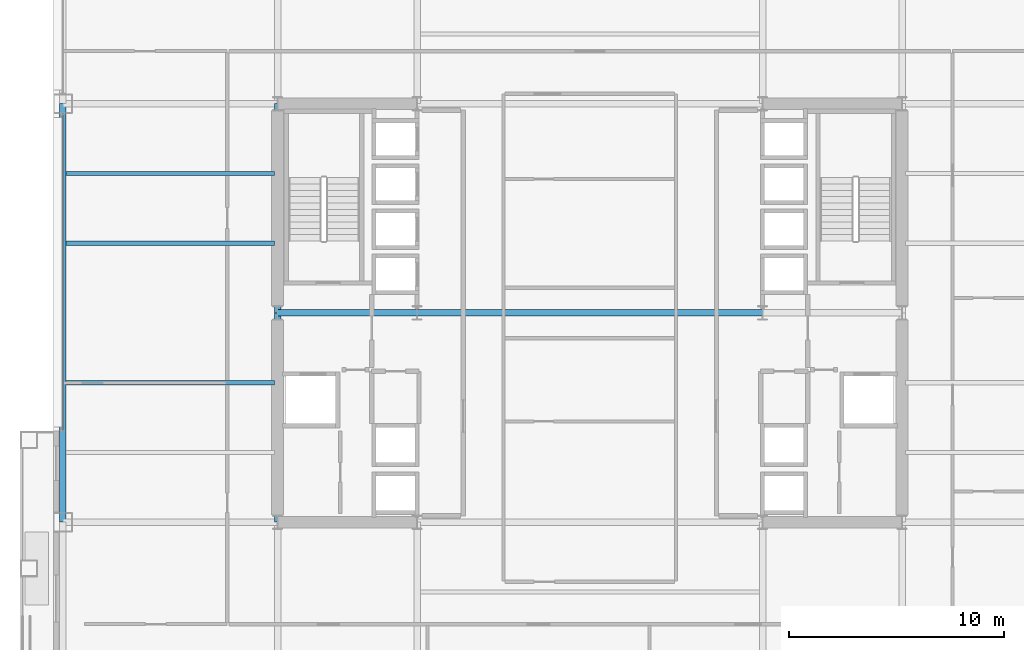
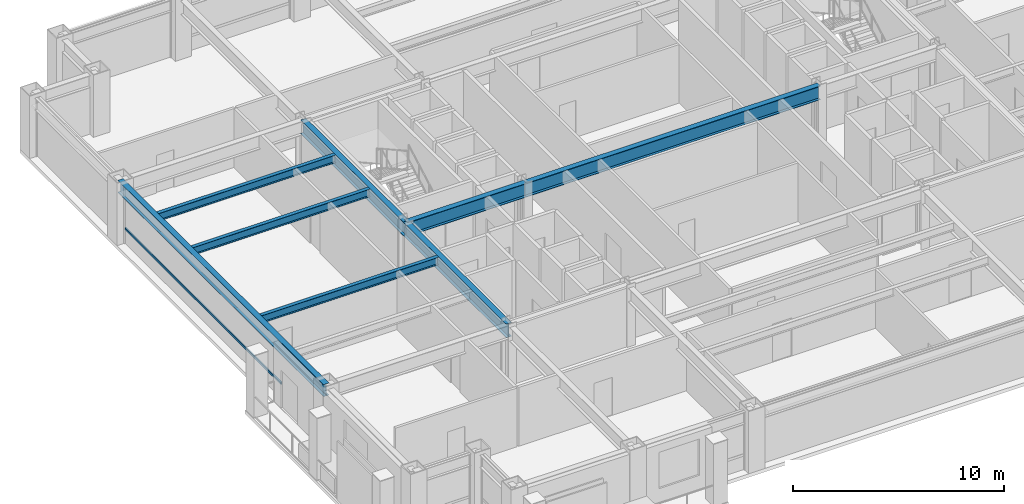
# One storey, part 8 of 29: 8 beams, 1 member, 1 element without a shape of its own.
"""IFC4 building model written with IfcOpenShell, lengths in metres."""

from ifc_helpers import new_model, si_unit, direction, frame, origin, origin_2d, place, context, subcontext, project, spatial, hollow_rectangle, i_section, extrude, material, layer, layer_set, material_profile, profile_set, type_object, element, aggregate, save


model = new_model("IFC4")

# Units and contexts
model_context = context("Model", 3, precision=1e-05, world=origin(), true_north=direction((0.0, 1.0)))
body_context = subcontext(model_context, "Body", "Model", "MODEL_VIEW")
ifc_project = project(units=[si_unit("LENGTHUNIT", "METRE"), si_unit("AREAUNIT", "SQUARE_METRE"), si_unit("VOLUMEUNIT", "CUBIC_METRE"), si_unit("PLANEANGLEUNIT", "RADIAN"), si_unit("MASSUNIT", "GRAM", prefix="KILO")], contexts=[model_context])

# Site, building, storey
site_placement = place(None, origin())
site = spatial("IfcSite", under=ifc_project, at=site_placement, CompositionType="ELEMENT")
building_placement = place(site_placement, origin())
building = spatial("IfcBuilding", under=site, at=building_placement, Name="Brelmoor Portico Tower", CompositionType="ELEMENT")
storey_placement = place(building_placement, frame((0.0, 0.0, 60.0)))
storey = spatial("IfcBuildingStorey", under=building, at=storey_placement, Name="L15", CompositionType="ELEMENT", Elevation=60.0)

# Beams
ifc_material_1 = material(Name="Steel Q355B", Category="steel")
ifc_material_profile_1 = material_profile(ifc_material_1, i_section(OverallWidth=0.199951171875, OverallDepth=0.449951171875, WebThickness=0.009033203125, FlangeThickness=0.013916015625, at=origin_2d()), Name="HN 450x200x9x14")
ifc_profile_set_1 = profile_set([ifc_material_profile_1], Name="Steel Q355B")
beam_type_1 = type_object("IfcBeamType", Name="BM-JS-450", PredefinedType="JOIST", material=ifc_profile_set_1)
for number, where, z_axis, x_axis, name in (
    (1, (-24.39990234375, -3.25, 3.175048828125), (1.0, 0.0, 0.0), (0.0, 1.0, 0.0), "L15 Secondary Wing Joist JS-W06"),
    (2, (-24.39990234375, 3.25, 3.175048828125), (1.0, 0.0, 0.0), (0.0, 1.0, 0.0), "L15 Secondary Wing Joist JS-W07"),
    (3, (-24.39990234375, 6.5, 3.175048828125), (1.0, 0.0, 0.0), (0.0, 1.0, 0.0), "L15 Secondary Wing Joist JS-W08"),
):
    element("IfcBeam", number, at=place(storey_placement, frame(where, z_axis=z_axis, x_axis=x_axis)), inside=storey, type_object=beam_type_1, Name=name, PredefinedType="JOIST", context=body_context, shape_type="SweptSolid", body=[
        extrude(i_section(OverallWidth=0.199951171875, OverallDepth=0.449951171875, WebThickness=0.009033203125, FlangeThickness=0.013916015625, at=origin_2d()), origin(), (0.0, 0.0, 1.0), 9.699951171875),
    ])
ifc_material_profile_2 = material_profile(ifc_material_1, i_section(OverallWidth=0.300048828125, OverallDepth=0.800048828125, WebThickness=0.013916015625, FlangeThickness=0.02587890625, at=origin_2d()), Name="HN 800x300x14x26")
ifc_profile_set_2 = profile_set([ifc_material_profile_2], Name="Steel Q355B")
beam_type_2 = type_object("IfcBeamType", Name="BM-PG-800", PredefinedType="BEAM", material=ifc_profile_set_2)
for number, where, z_axis, x_axis, name in (
    (4, (-14.550048828125, -9.75, 3.0), (0.0, 1.0, 0.0), (-1.0, 0.0, 0.0), "L15 Primary Floor Girder PG-04"),
    (5, (-14.550048828125, 0.0, 3.0), (0.0, 1.0, 0.0), (-1.0, 0.0, 0.0), "L15 Primary Floor Girder PG-05"),
):
    element("IfcBeam", number, at=place(storey_placement, frame(where, z_axis=z_axis, x_axis=x_axis)), inside=storey, type_object=beam_type_2, Name=name, PredefinedType="BEAM", context=body_context, shape_type="SweptSolid", body=[
        extrude(i_section(OverallWidth=0.300048828125, OverallDepth=0.800048828125, WebThickness=0.013916015625, FlangeThickness=0.02587890625, at=origin_2d()), origin(), (0.0, 0.0, 1.0), 9.75),
    ])
beam_1_placement = place(storey_placement, frame((-14.550048828125, 0.0, 3.0), z_axis=(1.0, 0.0, 0.0), x_axis=(0.0, 1.0, 0.0)))
element("IfcBeam", 6, at=beam_1_placement, inside=storey, type_object=beam_type_2, Name="L15 Primary Floor Girder PG-24", PredefinedType="BEAM", context=body_context, shape_type="SweptSolid", body=[
    extrude(i_section(OverallWidth=0.300048828125, OverallDepth=0.800048828125, WebThickness=0.013916015625, FlangeThickness=0.02587890625, at=origin_2d()), origin(), (0.0, 0.0, 1.0), 6.5),
])
beam_2_placement = place(storey_placement, frame((-8.050048828125, 0.0, 3.0), z_axis=(1.0, 0.0, 0.0), x_axis=(0.0, 1.0, 0.0)))
element("IfcBeam", 7, at=beam_2_placement, inside=storey, type_object=beam_type_2, Name="L15 Primary Floor Girder PG-25", PredefinedType="BEAM", context=body_context, shape_type="SweptSolid", body=[
    extrude(i_section(OverallWidth=0.300048828125, OverallDepth=0.800048828125, WebThickness=0.013916015625, FlangeThickness=0.02587890625, at=origin_2d()), origin(), (0.0, 0.0, 1.0), 16.10009765625),
])
ifc_material_profile_3 = material_profile(ifc_material_1, i_section(OverallWidth=0.300048828125, OverallDepth=0.699951171875, WebThickness=0.012939453125, FlangeThickness=0.02392578125, at=origin_2d()), Name="HN 700x300x13x24")
ifc_profile_set_3 = profile_set([ifc_material_profile_3], Name="Steel Q355B")
beam_type_3 = type_object("IfcBeamType", Name="BM-SP-700", PredefinedType="SPANDREL", material=ifc_profile_set_3)
beam_3_placement = place(storey_placement, frame((-24.550048828125, -9.75, 3.050048828125), z_axis=(0.0, 1.0, 0.0), x_axis=(-1.0, 0.0, 0.0)))
element("IfcBeam", 8, at=beam_3_placement, inside=storey, type_object=beam_type_3, Name="L15 Perimeter Spandrel Beam SP-16", PredefinedType="SPANDREL", context=body_context, shape_type="SweptSolid", body=[
    extrude(i_section(OverallWidth=0.300048828125, OverallDepth=0.699951171875, WebThickness=0.012939453125, FlangeThickness=0.02392578125, at=origin_2d()), origin(), (0.0, 0.0, 1.0), 19.5),
])

# Curtain wall, member
ifc_material_2 = material(Name="Anodised Aluminium Alloy 6063-T6", Category="aluminium")
ifc_layer = layer(ifc_material_2, 0.179931640625)
ifc_layer_set = layer_set([ifc_layer], Name="Anodised Aluminium Alloy 6063-T6")
curtain_wall_type = type_object("IfcCurtainWallType", Name="CW-TOWER-Z1", PredefinedType="NOTDEFINED", material=ifc_layer_set)
curtain_wall_placement = place(storey_placement, origin())
curtain_wall = element("IfcCurtainWall", 9, at=curtain_wall_placement, inside=storey, type_object=curtain_wall_type, Name="L15 Curtain Wall CW-L15-3R-1", PredefinedType="NOTDEFINED")
ifc_material_profile_4 = material_profile(ifc_material_2, hollow_rectangle(XDim=0.06494140625, YDim=0.139892578125, WallThickness=0.00390625, at=origin_2d()), Name="ALU TRANSOM 65x140")
ifc_profile_set_4 = profile_set([ifc_material_profile_4], Name="Anodised Aluminium Alloy 6063-T6")
member_type = type_object("IfcMemberType", Name="MB-CW-TRAN-140", PredefinedType="USERDEFINED", material=ifc_profile_set_4)
member_placement = place(storey_placement, frame((-24.550048828125, -5.5, 0.85009765625), z_axis=(0.0, 1.0, 0.0), x_axis=(-1.0, 0.0, 0.0)))
member = element("IfcMember", 10, at=member_placement, type_object=member_type, Name="CW-L15-3R-1 Transom 1-00", ObjectType="TRANSOM", PredefinedType="USERDEFINED", context=body_context, shape_type="SweptSolid", body=[
    extrude(hollow_rectangle(XDim=0.06494140625, YDim=0.139892578125, WallThickness=0.00390625, at=origin_2d()), origin(), (0.0, 0.0, 1.0), 14.7900390625),
])
aggregate(curtain_wall, [member])

save(model, "model.ifc")
